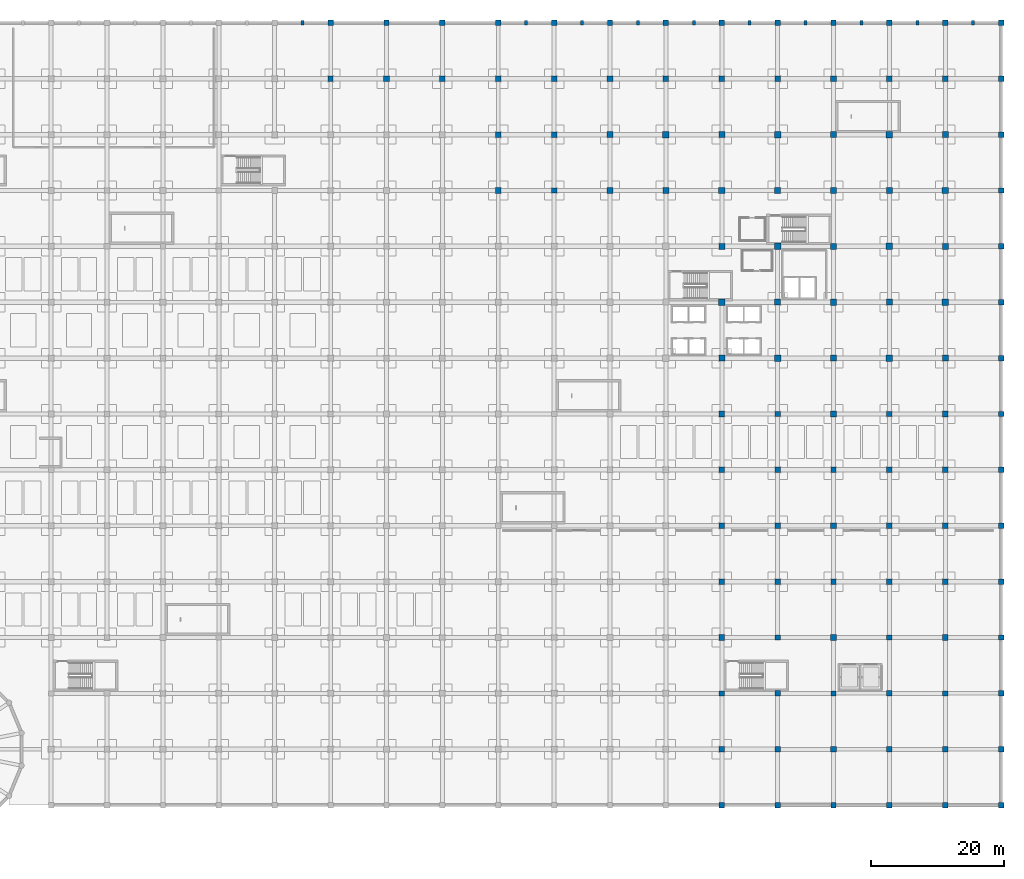
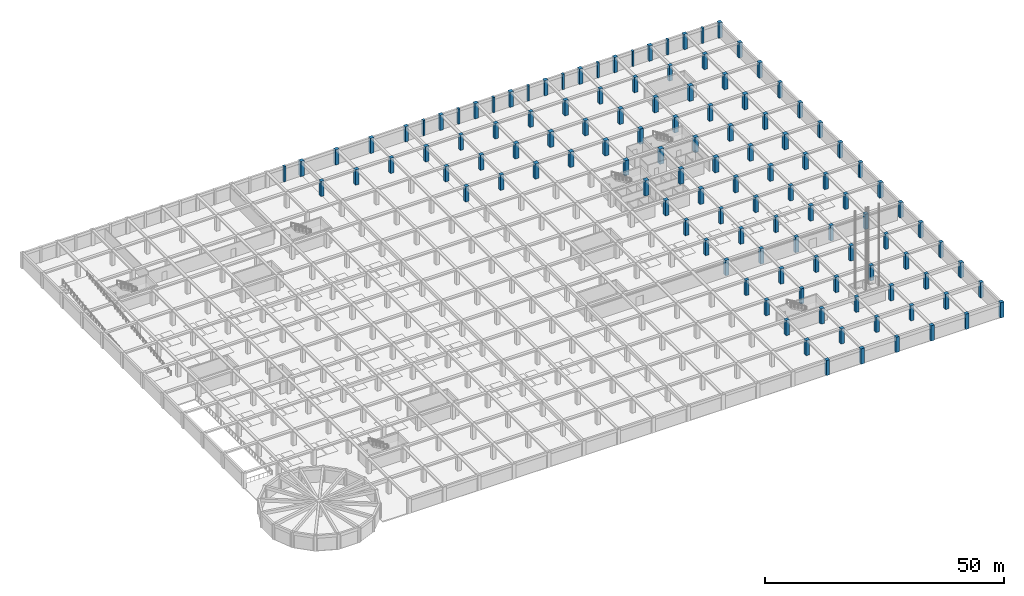
# One storey, part 2 of 32: 122 columns.
"""IFC4 building model written with IfcOpenShell, lengths in metres."""

from ifc_helpers import new_model, si_unit, direction, frame, origin, origin_2d, place, context, subcontext, project, spatial, rectangle, extrude, material, material_profile, profile_set, type_object, element, save


model = new_model("IFC4")

# Units and contexts
model_context = context("Model", 3, precision=1e-05, world=origin(), true_north=direction((0.0, 1.0)))
body_context = subcontext(model_context, "Body", "Model", "MODEL_VIEW")
ifc_project = project(units=[si_unit("LENGTHUNIT", "METRE"), si_unit("AREAUNIT", "SQUARE_METRE"), si_unit("VOLUMEUNIT", "CUBIC_METRE"), si_unit("PLANEANGLEUNIT", "RADIAN"), si_unit("MASSUNIT", "GRAM", prefix="KILO")], contexts=[model_context])

# Site, building, storey
site_placement = place(None, origin())
site = spatial("IfcSite", under=ifc_project, at=site_placement, CompositionType="ELEMENT")
building_placement = place(site_placement, origin())
building = spatial("IfcBuilding", under=site, at=building_placement, Name="Almacenes y Pasaje Nevantli", CompositionType="ELEMENT")
storey_placement = place(building_placement, frame((0.0, 0.0, -4.199951171875)))
storey = spatial("IfcBuildingStorey", under=building, at=storey_placement, Name="B01", CompositionType="ELEMENT", Elevation=-4.199951171875)

# Columns
ifc_material_1 = material(Name="Concrete C45/55", Category="concrete")
ifc_material_profile_1 = material_profile(ifc_material_1, rectangle(XDim=0.800048828125, YDim=0.800048828125, at=origin_2d()), Name="RC-COL-800x800")
ifc_profile_set_1 = profile_set([ifc_material_profile_1], Name="Concrete C45/55")
column_type_1 = type_object("IfcColumnType", Name="COL-RC-800", PredefinedType="COLUMN", material=ifc_profile_set_1)
for number, where, z_axis, x_axis, name in (
    (1, (67.199951171875, 109.199951171875, 0.0), (0.0, 0.0, 1.0), (1.0, 0.0, 0.0), "B01 Reinforced Concrete Column CL-04 #466"),
    (2, (75.60009765625, 117.60009765625, 0.0), (0.0, 0.0, 1.0), (1.0, 0.0, 0.0), "B01 Reinforced Concrete Column CL-04 #482"),
    (3, (84.0, 109.199951171875, 0.0), (0.0, 0.0, 1.0), (1.0, 0.0, 0.0), "B01 Reinforced Concrete Column CL-04 #496"),
    (4, (92.39990234375, 100.800048828125, 0.0), (0.0, 0.0, 1.0), (1.0, 0.0, 0.0), "B01 Reinforced Concrete Column CL-04 #510"),
    (5, (92.39990234375, 117.60009765625, 0.0), (0.0, 0.0, 1.0), (1.0, 0.0, 0.0), "B01 Reinforced Concrete Column CL-04 #512"),
    (6, (100.800048828125, 92.39990234375, 0.0), (0.0, 0.0, 1.0), (1.0, 0.0, 0.0), "B01 Reinforced Concrete Column CL-04 #524"),
    (7, (100.800048828125, 109.199951171875, 0.0), (0.0, 0.0, 1.0), (1.0, 0.0, 0.0), "B01 Reinforced Concrete Column CL-04 #526"),
    (8, (109.199951171875, 117.60009765625, 0.0), (0.0, 0.0, 1.0), (1.0, 0.0, 0.0), "B01 Reinforced Concrete Column CL-04 #542"),
    (9, (117.60009765625, 109.199951171875, 0.0), (0.0, 0.0, 1.0), (1.0, 0.0, 0.0), "B01 Reinforced Concrete Column CL-04 #556"),
    (10, (126.0, 0.0, 0.0), (0.0, 0.0, 1.0), (1.0, 0.0, 0.0), "B01 Reinforced Concrete Column CL-04 #558"),
    (11, (126.0, 16.800048828125, 0.0), (0.0, 0.0, 1.0), (1.0, 0.0, 0.0), "B01 Reinforced Concrete Column CL-04 #560"),
    (12, (126.0, 33.60009765625, 0.0), (0.0, 0.0, 1.0), (1.0, 0.0, 0.0), "B01 Reinforced Concrete Column CL-04 #562"),
    (13, (126.0, 50.39990234375, 0.0), (0.0, 0.0, 1.0), (1.0, 0.0, 0.0), "B01 Reinforced Concrete Column CL-04 #564"),
    (14, (126.0, 117.60009765625, 0.0), (0.0, 0.0, 1.0), (1.0, 0.0, 0.0), "B01 Reinforced Concrete Column CL-04 #572"),
    (15, (134.39990234375, 8.39990234375, 0.0), (0.0, 0.0, 1.0), (1.0, 0.0, 0.0), "B01 Reinforced Concrete Column CL-04 #574"),
    (16, (134.39990234375, 25.199951171875, 0.0), (0.0, 0.0, 1.0), (1.0, 0.0, 0.0), "B01 Reinforced Concrete Column CL-04 #576"),
    (17, (134.39990234375, 42.0, 0.0), (0.0, 0.0, 1.0), (1.0, 0.0, 0.0), "B01 Reinforced Concrete Column CL-04 #578"),
    (18, (134.39990234375, 58.800048828125, 0.0), (0.0, 0.0, 1.0), (1.0, 0.0, 0.0), "B01 Reinforced Concrete Column CL-04 #580"),
    (19, (134.39990234375, 109.199951171875, 0.0), (0.0, 0.0, 1.0), (1.0, 0.0, 0.0), "B01 Reinforced Concrete Column CL-04 #586"),
    (20, (142.800048828125, 0.0, 0.0), (0.0, 0.0, 1.0), (1.0, 0.0, 0.0), "B01 Reinforced Concrete Column CL-04 #588"),
    (21, (142.800048828125, 16.800048828125, 0.0), (0.0, 0.0, 1.0), (1.0, 0.0, 0.0), "B01 Reinforced Concrete Column CL-04 #590"),
    (22, (142.800048828125, 33.60009765625, 0.0), (0.0, 0.0, 1.0), (1.0, 0.0, 0.0), "B01 Reinforced Concrete Column CL-04 #592"),
    (23, (142.800048828125, 50.39990234375, 0.0), (0.0, 0.0, 1.0), (1.0, 0.0, 0.0), "B01 Reinforced Concrete Column CL-04 #594"),
    (24, (142.800048828125, 117.60009765625, 0.0), (0.0, 0.0, 1.0), (1.0, 0.0, 0.0), "B01 Reinforced Concrete Column CL-04 #602"),
    (25, (151.199951171875, 8.39990234375, 0.0), (0.0, 0.0, 1.0), (1.0, 0.0, 0.0), "B01 Reinforced Concrete Column CL-04 #604"),
    (26, (151.199951171875, 25.199951171875, 0.0), (0.0, 0.0, 1.0), (1.0, 0.0, 0.0), "B01 Reinforced Concrete Column CL-04 #606"),
    (27, (151.199951171875, 42.0, 0.0), (0.0, 0.0, 1.0), (1.0, 0.0, 0.0), "B01 Reinforced Concrete Column CL-04 #608"),
    (28, (151.199951171875, 58.800048828125, 0.0), (0.0, 0.0, 1.0), (1.0, 0.0, 0.0), "B01 Reinforced Concrete Column CL-04 #610"),
    (29, (151.199951171875, 109.199951171875, 0.0), (0.0, 0.0, 1.0), (1.0, 0.0, 0.0), "B01 Reinforced Concrete Column CL-04 #616"),
    (30, (159.60009765625, 0.0, 0.0), (0.0, 0.0, 1.0), (1.0, 0.0, 0.0), "B01 Reinforced Concrete Column CL-04 #618"),
    (31, (159.60009765625, 16.800048828125, 0.0), (0.0, 0.0, 1.0), (1.0, 0.0, 0.0), "B01 Reinforced Concrete Column CL-04 #620"),
    (32, (159.60009765625, 33.60009765625, 0.0), (0.0, 0.0, 1.0), (1.0, 0.0, 0.0), "B01 Reinforced Concrete Column CL-04 #622"),
    (33, (159.60009765625, 50.39990234375, 0.0), (0.0, 0.0, 1.0), (1.0, 0.0, 0.0), "B01 Reinforced Concrete Column CL-04 #624"),
    (34, (159.60009765625, 117.60009765625, 0.0), (0.0, 0.0, 1.0), (1.0, 0.0, 0.0), "B01 Reinforced Concrete Column CL-04 #632"),
    (35, (168.0, 8.39990234375, 0.0), (0.0, 0.0, 1.0), (1.0, 0.0, 0.0), "B01 Reinforced Concrete Column CL-04 #634"),
    (36, (168.0, 25.199951171875, 0.0), (0.0, 0.0, 1.0), (1.0, 0.0, 0.0), "B01 Reinforced Concrete Column CL-04 #636"),
    (37, (168.0, 42.0, 0.0), (0.0, 0.0, 1.0), (1.0, 0.0, 0.0), "B01 Reinforced Concrete Column CL-04 #638"),
    (38, (168.0, 58.800048828125, 0.0), (0.0, 0.0, 1.0), (1.0, 0.0, 0.0), "B01 Reinforced Concrete Column CL-04 #640"),
    (39, (168.0, 75.60009765625, 0.0), (0.0, 0.0, 1.0), (1.0, 0.0, 0.0), "B01 Reinforced Concrete Column CL-04 #642"),
    (40, (168.0, 92.39990234375, 0.0), (0.0, 0.0, 1.0), (1.0, 0.0, 0.0), "B01 Reinforced Concrete Column CL-04 #644"),
    (41, (168.0, 109.199951171875, 0.0), (0.0, 0.0, 1.0), (1.0, 0.0, 0.0), "B01 Reinforced Concrete Column CL-04 #646"),
):
    element("IfcColumn", number, at=place(storey_placement, frame(where, z_axis=z_axis, x_axis=x_axis)), inside=storey, type_object=column_type_1, Name=name, PredefinedType="COLUMN", context=body_context, shape_type="SweptSolid", body=[
        extrude(rectangle(XDim=0.800048828125, YDim=0.800048828125, at=origin_2d()), origin(), (0.0, 0.0, 1.0), 3.8798828125),
    ])
ifc_material_2 = material(Name="Concrete C45/55", Category="concrete")
ifc_material_profile_2 = material_profile(ifc_material_2, rectangle(XDim=0.85009765625, YDim=0.85009765625, at=origin_2d()), Name="RC-COL-850x850")
ifc_profile_set_2 = profile_set([ifc_material_profile_2], Name="Concrete C45/55")
column_type_2 = type_object("IfcColumnType", Name="COL-RC-850", PredefinedType="COLUMN", material=ifc_profile_set_2)
for number, where, z_axis, x_axis, name in (
    (42, (67.199951171875, 117.60009765625, 0.0), (0.0, 0.0, 1.0), (1.0, 0.0, 0.0), "B01 Reinforced Concrete Column CL-03 #467"),
    (43, (75.60009765625, 109.199951171875, 0.0), (0.0, 0.0, 1.0), (1.0, 0.0, 0.0), "B01 Reinforced Concrete Column CL-03 #481"),
    (44, (84.0, 117.60009765625, 0.0), (0.0, 0.0, 1.0), (1.0, 0.0, 0.0), "B01 Reinforced Concrete Column CL-03 #497"),
    (45, (92.39990234375, 92.39990234375, 0.0), (0.0, 0.0, 1.0), (1.0, 0.0, 0.0), "B01 Reinforced Concrete Column CL-03 #509"),
    (46, (92.39990234375, 109.199951171875, 0.0), (0.0, 0.0, 1.0), (1.0, 0.0, 0.0), "B01 Reinforced Concrete Column CL-03 #511"),
    (47, (100.800048828125, 100.800048828125, 0.0), (0.0, 0.0, 1.0), (1.0, 0.0, 0.0), "B01 Reinforced Concrete Column CL-03 #525"),
    (48, (100.800048828125, 117.60009765625, 0.0), (0.0, 0.0, 1.0), (1.0, 0.0, 0.0), "B01 Reinforced Concrete Column CL-03 #527"),
    (49, (109.199951171875, 109.199951171875, 0.0), (0.0, 0.0, 1.0), (1.0, 0.0, 0.0), "B01 Reinforced Concrete Column CL-03 #541"),
    (50, (117.60009765625, 117.60009765625, 0.0), (0.0, 0.0, 1.0), (1.0, 0.0, 0.0), "B01 Reinforced Concrete Column CL-03 #557"),
    (51, (126.0, 8.39990234375, 0.0), (0.0, 0.0, 1.0), (1.0, 0.0, 0.0), "B01 Reinforced Concrete Column CL-03 #559"),
    (52, (126.0, 25.199951171875, 0.0), (0.0, 0.0, 1.0), (1.0, 0.0, 0.0), "B01 Reinforced Concrete Column CL-03 #561"),
    (53, (126.0, 42.0, 0.0), (0.0, 0.0, 1.0), (1.0, 0.0, 0.0), "B01 Reinforced Concrete Column CL-03 #563"),
    (54, (126.0, 58.800048828125, 0.0), (0.0, 0.0, 1.0), (1.0, 0.0, 0.0), "B01 Reinforced Concrete Column CL-03 #565"),
    (55, (126.0, 109.199951171875, 0.0), (0.0, 0.0, 1.0), (1.0, 0.0, 0.0), "B01 Reinforced Concrete Column CL-03 #571"),
    (56, (134.39990234375, 0.0, 0.0), (0.0, 0.0, 1.0), (1.0, 0.0, 0.0), "B01 Reinforced Concrete Column CL-03 #573"),
    (57, (134.39990234375, 16.800048828125, 0.0), (0.0, 0.0, 1.0), (1.0, 0.0, 0.0), "B01 Reinforced Concrete Column CL-03 #575"),
    (58, (134.39990234375, 33.60009765625, 0.0), (0.0, 0.0, 1.0), (1.0, 0.0, 0.0), "B01 Reinforced Concrete Column CL-03 #577"),
    (59, (134.39990234375, 50.39990234375, 0.0), (0.0, 0.0, 1.0), (1.0, 0.0, 0.0), "B01 Reinforced Concrete Column CL-03 #579"),
    (60, (134.39990234375, 117.60009765625, 0.0), (0.0, 0.0, 1.0), (1.0, 0.0, 0.0), "B01 Reinforced Concrete Column CL-03 #587"),
    (61, (142.800048828125, 8.39990234375, 0.0), (0.0, 0.0, 1.0), (1.0, 0.0, 0.0), "B01 Reinforced Concrete Column CL-03 #589"),
    (62, (142.800048828125, 25.199951171875, 0.0), (0.0, 0.0, 1.0), (1.0, 0.0, 0.0), "B01 Reinforced Concrete Column CL-03 #591"),
    (63, (142.800048828125, 42.0, 0.0), (0.0, 0.0, 1.0), (1.0, 0.0, 0.0), "B01 Reinforced Concrete Column CL-03 #593"),
    (64, (142.800048828125, 58.800048828125, 0.0), (0.0, 0.0, 1.0), (1.0, 0.0, 0.0), "B01 Reinforced Concrete Column CL-03 #595"),
    (65, (142.800048828125, 109.199951171875, 0.0), (0.0, 0.0, 1.0), (1.0, 0.0, 0.0), "B01 Reinforced Concrete Column CL-03 #601"),
    (66, (151.199951171875, 0.0, 0.0), (0.0, 0.0, 1.0), (1.0, 0.0, 0.0), "B01 Reinforced Concrete Column CL-03 #603"),
    (67, (151.199951171875, 16.800048828125, 0.0), (0.0, 0.0, 1.0), (1.0, 0.0, 0.0), "B01 Reinforced Concrete Column CL-03 #605"),
    (68, (151.199951171875, 33.60009765625, 0.0), (0.0, 0.0, 1.0), (1.0, 0.0, 0.0), "B01 Reinforced Concrete Column CL-03 #607"),
    (69, (151.199951171875, 50.39990234375, 0.0), (0.0, 0.0, 1.0), (1.0, 0.0, 0.0), "B01 Reinforced Concrete Column CL-03 #609"),
    (70, (151.199951171875, 117.60009765625, 0.0), (0.0, 0.0, 1.0), (1.0, 0.0, 0.0), "B01 Reinforced Concrete Column CL-03 #617"),
    (71, (159.60009765625, 8.39990234375, 0.0), (0.0, 0.0, 1.0), (1.0, 0.0, 0.0), "B01 Reinforced Concrete Column CL-03 #619"),
    (72, (159.60009765625, 25.199951171875, 0.0), (0.0, 0.0, 1.0), (1.0, 0.0, 0.0), "B01 Reinforced Concrete Column CL-03 #621"),
    (73, (159.60009765625, 42.0, 0.0), (0.0, 0.0, 1.0), (1.0, 0.0, 0.0), "B01 Reinforced Concrete Column CL-03 #623"),
    (74, (159.60009765625, 58.800048828125, 0.0), (0.0, 0.0, 1.0), (1.0, 0.0, 0.0), "B01 Reinforced Concrete Column CL-03 #625"),
    (75, (159.60009765625, 109.199951171875, 0.0), (0.0, 0.0, 1.0), (1.0, 0.0, 0.0), "B01 Reinforced Concrete Column CL-03 #631"),
    (76, (168.0, 0.0, 0.0), (0.0, 0.0, 1.0), (1.0, 0.0, 0.0), "B01 Reinforced Concrete Column CL-03 #633"),
    (77, (168.0, 16.800048828125, 0.0), (0.0, 0.0, 1.0), (1.0, 0.0, 0.0), "B01 Reinforced Concrete Column CL-03 #635"),
    (78, (168.0, 33.60009765625, 0.0), (0.0, 0.0, 1.0), (1.0, 0.0, 0.0), "B01 Reinforced Concrete Column CL-03 #637"),
    (79, (168.0, 50.39990234375, 0.0), (0.0, 0.0, 1.0), (1.0, 0.0, 0.0), "B01 Reinforced Concrete Column CL-03 #639"),
    (80, (168.0, 67.199951171875, 0.0), (0.0, 0.0, 1.0), (1.0, 0.0, 0.0), "B01 Reinforced Concrete Column CL-03 #641"),
    (81, (168.0, 84.0, 0.0), (0.0, 0.0, 1.0), (1.0, 0.0, 0.0), "B01 Reinforced Concrete Column CL-03 #643"),
    (82, (168.0, 100.800048828125, 0.0), (0.0, 0.0, 1.0), (1.0, 0.0, 0.0), "B01 Reinforced Concrete Column CL-03 #645"),
    (83, (168.0, 117.60009765625, 0.0), (0.0, 0.0, 1.0), (1.0, 0.0, 0.0), "B01 Reinforced Concrete Column CL-03 #647"),
):
    element("IfcColumn", number, at=place(storey_placement, frame(where, z_axis=z_axis, x_axis=x_axis)), inside=storey, type_object=column_type_2, Name=name, PredefinedType="COLUMN", context=body_context, shape_type="SweptSolid", body=[
        extrude(rectangle(XDim=0.85009765625, YDim=0.85009765625, at=origin_2d()), origin(), (0.0, 0.0, 1.0), 3.8798828125),
    ])
ifc_material_3 = material(Name="Concrete C45/55", Category="concrete")
ifc_material_profile_3 = material_profile(ifc_material_3, rectangle(XDim=0.89990234375, YDim=0.89990234375, at=origin_2d()), Name="RC-COL-900x900")
ifc_profile_set_3 = profile_set([ifc_material_profile_3], Name="Concrete C45/55")
column_type_3 = type_object("IfcColumnType", Name="COL-RC-900", PredefinedType="COLUMN", material=ifc_profile_set_3)
for number, where, z_axis, x_axis, name in (
    (84, (109.199951171875, 100.800048828125, 0.0), (0.0, 0.0, 1.0), (1.0, 0.0, 0.0), "B01 Reinforced Concrete Column CL-02 #540"),
    (85, (117.60009765625, 92.39990234375, 0.0), (0.0, 0.0, 1.0), (1.0, 0.0, 0.0), "B01 Reinforced Concrete Column CL-02 #554"),
    (86, (126.0, 67.199951171875, 0.0), (0.0, 0.0, 1.0), (1.0, 0.0, 0.0), "B01 Reinforced Concrete Column CL-02 #566"),
    (87, (126.0, 84.0, 0.0), (0.0, 0.0, 1.0), (1.0, 0.0, 0.0), "B01 Reinforced Concrete Column CL-02 #568"),
    (88, (126.0, 100.800048828125, 0.0), (0.0, 0.0, 1.0), (1.0, 0.0, 0.0), "B01 Reinforced Concrete Column CL-02 #570"),
    (89, (134.39990234375, 75.60009765625, 0.0), (0.0, 0.0, 1.0), (1.0, 0.0, 0.0), "B01 Reinforced Concrete Column CL-02 #582"),
    (90, (134.39990234375, 92.39990234375, 0.0), (0.0, 0.0, 1.0), (1.0, 0.0, 0.0), "B01 Reinforced Concrete Column CL-02 #584"),
    (91, (142.800048828125, 67.199951171875, 0.0), (0.0, 0.0, 1.0), (1.0, 0.0, 0.0), "B01 Reinforced Concrete Column CL-02 #596"),
    (92, (142.800048828125, 84.0, 0.0), (0.0, 0.0, 1.0), (1.0, 0.0, 0.0), "B01 Reinforced Concrete Column CL-02 #598"),
    (93, (142.800048828125, 100.800048828125, 0.0), (0.0, 0.0, 1.0), (1.0, 0.0, 0.0), "B01 Reinforced Concrete Column CL-02 #600"),
    (94, (151.199951171875, 75.60009765625, 0.0), (0.0, 0.0, 1.0), (1.0, 0.0, 0.0), "B01 Reinforced Concrete Column CL-02 #612"),
    (95, (151.199951171875, 92.39990234375, 0.0), (0.0, 0.0, 1.0), (1.0, 0.0, 0.0), "B01 Reinforced Concrete Column CL-02 #614"),
    (96, (159.60009765625, 67.199951171875, 0.0), (0.0, 0.0, 1.0), (1.0, 0.0, 0.0), "B01 Reinforced Concrete Column CL-02 #626"),
    (97, (159.60009765625, 84.0, 0.0), (0.0, 0.0, 1.0), (1.0, 0.0, 0.0), "B01 Reinforced Concrete Column CL-02 #628"),
    (98, (159.60009765625, 100.800048828125, 0.0), (0.0, 0.0, 1.0), (1.0, 0.0, 0.0), "B01 Reinforced Concrete Column CL-02 #630"),
):
    element("IfcColumn", number, at=place(storey_placement, frame(where, z_axis=z_axis, x_axis=x_axis)), inside=storey, type_object=column_type_3, Name=name, PredefinedType="COLUMN", context=body_context, shape_type="SweptSolid", body=[
        extrude(rectangle(XDim=0.89990234375, YDim=0.89990234375, at=origin_2d()), origin(), (0.0, 0.0, 1.0), 3.8798828125),
    ])
ifc_material_4 = material(Name="Concrete C45/55", Category="concrete")
ifc_material_profile_4 = material_profile(ifc_material_4, rectangle(XDim=0.949951171875, YDim=0.949951171875, at=origin_2d()), Name="RC-COL-950x950")
ifc_profile_set_4 = profile_set([ifc_material_profile_4], Name="Concrete C45/55")
column_type_4 = type_object("IfcColumnType", Name="COL-RC-950", PredefinedType="COLUMN", material=ifc_profile_set_4)
for number, where, z_axis, x_axis, name in (
    (99, (109.199951171875, 92.39990234375, 0.0), (0.0, 0.0, 1.0), (1.0, 0.0, 0.0), "B01 Reinforced Concrete Column CL-01 #539"),
    (100, (117.60009765625, 100.800048828125, 0.0), (0.0, 0.0, 1.0), (1.0, 0.0, 0.0), "B01 Reinforced Concrete Column CL-01 #555"),
    (101, (126.0, 75.60009765625, 0.0), (0.0, 0.0, 1.0), (1.0, 0.0, 0.0), "B01 Reinforced Concrete Column CL-01 #567"),
    (102, (126.0, 92.39990234375, 0.0), (0.0, 0.0, 1.0), (1.0, 0.0, 0.0), "B01 Reinforced Concrete Column CL-01 #569"),
    (103, (134.39990234375, 67.199951171875, 0.0), (0.0, 0.0, 1.0), (1.0, 0.0, 0.0), "B01 Reinforced Concrete Column CL-01 #581"),
    (104, (134.39990234375, 84.0, 0.0), (0.0, 0.0, 1.0), (1.0, 0.0, 0.0), "B01 Reinforced Concrete Column CL-01 #583"),
    (105, (134.39990234375, 100.800048828125, 0.0), (0.0, 0.0, 1.0), (1.0, 0.0, 0.0), "B01 Reinforced Concrete Column CL-01 #585"),
    (106, (142.800048828125, 75.60009765625, 0.0), (0.0, 0.0, 1.0), (1.0, 0.0, 0.0), "B01 Reinforced Concrete Column CL-01 #597"),
    (107, (142.800048828125, 92.39990234375, 0.0), (0.0, 0.0, 1.0), (1.0, 0.0, 0.0), "B01 Reinforced Concrete Column CL-01 #599"),
    (108, (151.199951171875, 67.199951171875, 0.0), (0.0, 0.0, 1.0), (1.0, 0.0, 0.0), "B01 Reinforced Concrete Column CL-01 #611"),
    (109, (151.199951171875, 84.0, 0.0), (0.0, 0.0, 1.0), (1.0, 0.0, 0.0), "B01 Reinforced Concrete Column CL-01 #613"),
    (110, (151.199951171875, 100.800048828125, 0.0), (0.0, 0.0, 1.0), (1.0, 0.0, 0.0), "B01 Reinforced Concrete Column CL-01 #615"),
    (111, (159.60009765625, 75.60009765625, 0.0), (0.0, 0.0, 1.0), (1.0, 0.0, 0.0), "B01 Reinforced Concrete Column CL-01 #627"),
    (112, (159.60009765625, 92.39990234375, 0.0), (0.0, 0.0, 1.0), (1.0, 0.0, 0.0), "B01 Reinforced Concrete Column CL-01 #629"),
):
    element("IfcColumn", number, at=place(storey_placement, frame(where, z_axis=z_axis, x_axis=x_axis)), inside=storey, type_object=column_type_4, Name=name, PredefinedType="COLUMN", context=body_context, shape_type="SweptSolid", body=[
        extrude(rectangle(XDim=0.949951171875, YDim=0.949951171875, at=origin_2d()), origin(), (0.0, 0.0, 1.0), 3.8798828125),
    ])
ifc_material_5 = material(Name="Concrete C45/55", Category="concrete")
ifc_material_profile_5 = material_profile(ifc_material_5, rectangle(XDim=0.449951171875, YDim=0.64990234375, at=origin_2d()), Name="RC-PIL-450x650")
ifc_profile_set_5 = profile_set([ifc_material_profile_5], Name="Concrete C45/55")
column_type_5 = type_object("IfcColumnType", Name="PIL-RC-450x650", PredefinedType="PILASTER", material=ifc_profile_set_5)
for number, where, z_axis, x_axis, name in (
    (113, (63.0, 117.60009765625, 0.0), (0.0, 0.0, 1.0), (1.0, 0.0, 0.0), "B01 North Boulevard Portales Pilaster #8"),
    (114, (96.60009765625, 117.60009765625, 0.0), (0.0, 0.0, 1.0), (1.0, 0.0, 0.0), "B01 North Boulevard Portales Pilaster #12"),
    (115, (105.0, 117.60009765625, 0.0), (0.0, 0.0, 1.0), (1.0, 0.0, 0.0), "B01 North Boulevard Portales Pilaster #13"),
    (116, (113.39990234375, 117.60009765625, 0.0), (0.0, 0.0, 1.0), (1.0, 0.0, 0.0), "B01 North Boulevard Portales Pilaster #14"),
    (117, (121.800048828125, 117.60009765625, 0.0), (0.0, 0.0, 1.0), (1.0, 0.0, 0.0), "B01 North Boulevard Portales Pilaster #15"),
    (118, (130.199951171875, 117.60009765625, 0.0), (0.0, 0.0, 1.0), (1.0, 0.0, 0.0), "B01 North Boulevard Portales Pilaster #16"),
    (119, (138.60009765625, 117.60009765625, 0.0), (0.0, 0.0, 1.0), (1.0, 0.0, 0.0), "B01 North Boulevard Portales Pilaster #17"),
    (120, (147.0, 117.60009765625, 0.0), (0.0, 0.0, 1.0), (1.0, 0.0, 0.0), "B01 North Boulevard Portales Pilaster #18"),
    (121, (155.39990234375, 117.60009765625, 0.0), (0.0, 0.0, 1.0), (1.0, 0.0, 0.0), "B01 North Boulevard Portales Pilaster #19"),
    (122, (163.800048828125, 117.60009765625, 0.0), (0.0, 0.0, 1.0), (1.0, 0.0, 0.0), "B01 North Boulevard Portales Pilaster #20"),
):
    element("IfcColumn", number, at=place(storey_placement, frame(where, z_axis=z_axis, x_axis=x_axis)), inside=storey, type_object=column_type_5, Name=name, PredefinedType="PILASTER", context=body_context, shape_type="SweptSolid", body=[
        extrude(rectangle(XDim=0.449951171875, YDim=0.64990234375, at=origin_2d()), origin(), (0.0, 0.0, 1.0), 3.8798828125),
    ])

save(model, "model.ifc")
